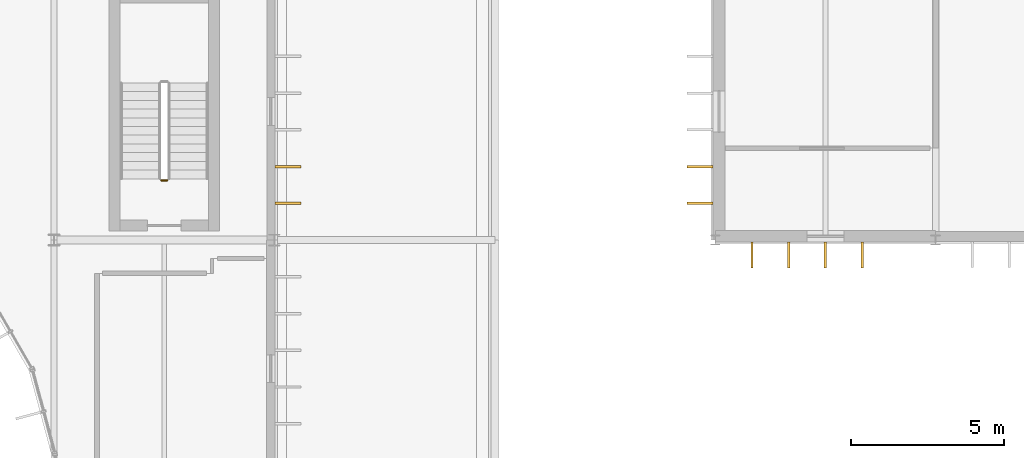
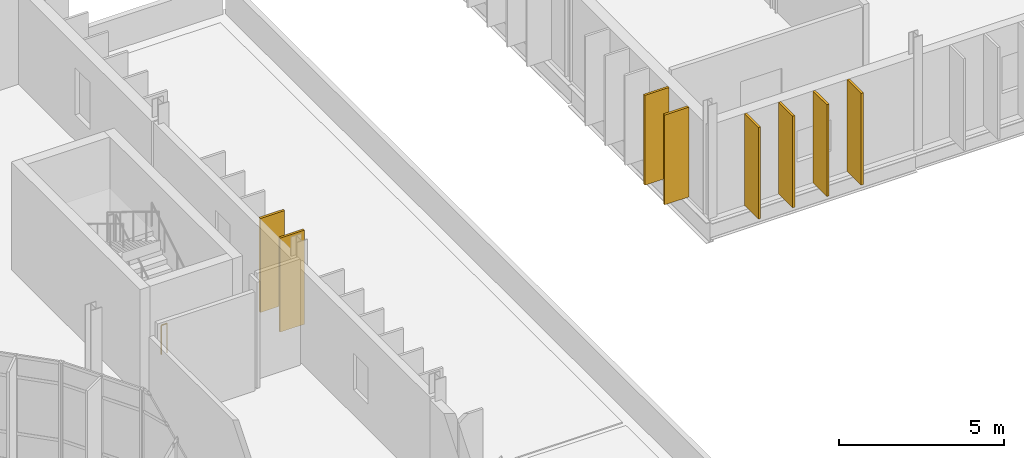
# One storey, part 92 of 99: 8 shading devices, 1 railing.
"""IFC4 building model written with IfcOpenShell, lengths in metres."""

from ifc_helpers import new_model, si_unit, direction, frame, origin, origin_2d, place, context, subcontext, project, spatial, rectangle, circle, extrude, material, type_object, element, save


model = new_model("IFC4")

# Units and contexts
model_context = context("Model", 3, precision=1e-05, world=origin(), true_north=direction((0.0, 1.0)))
body_context = subcontext(model_context, "Body", "Model", "MODEL_VIEW")
ifc_project = project(units=[si_unit("LENGTHUNIT", "METRE"), si_unit("AREAUNIT", "SQUARE_METRE"), si_unit("VOLUMEUNIT", "CUBIC_METRE"), si_unit("PLANEANGLEUNIT", "RADIAN"), si_unit("MASSUNIT", "GRAM", prefix="KILO")], contexts=[model_context])

# Site, building, storey
site_placement = place(None, origin())
site = spatial("IfcSite", under=ifc_project, at=site_placement, CompositionType="ELEMENT")
building_placement = place(site_placement, origin())
building = spatial("IfcBuilding", under=site, at=building_placement, Name="Qelthora Terrace Specialist Clinic", CompositionType="ELEMENT")
storey_placement = place(building_placement, frame((0.0, 0.0, 9.0)))
storey = spatial("IfcBuildingStorey", under=building, at=storey_placement, Name="L02", CompositionType="ELEMENT", Elevation=9.0)

# Railing
ifc_material_1 = material(Name="Steel S355", Category="steel")
railing_type = type_object("IfcRailingType", Name="RAL-GD-1100-S355", PredefinedType="GUARDRAIL", material=ifc_material_1)
railing_placement = place(storey_placement, frame((39.699951171875, 94.35009765625, 0.0)))
element("IfcRailing", 1, at=railing_placement, inside=storey, type_object=railing_type, Name="L02 ST-02 stair guard 4", PredefinedType="GUARDRAIL", context=body_context, shape_type="SweptSolid", body=[
    extrude(circle(Radius=0.02392578125, at=origin_2d()), frame((0.0, 0.0, 1.076171875), z_axis=(-1.0, 0.0, 0.0), x_axis=(0.0, -1.0, 0.0)), (0.0, 0.0, 1.0), 0.199951171875),
    extrude(circle(Radius=0.02099609375, at=origin_2d()), origin(), (0.0, 0.0, 1.0), 1.052001953125),
    extrude(circle(Radius=0.02099609375, at=origin_2d()), frame((-0.199951171875, 0.0, 0.0)), (0.0, 0.0, 1.0), 1.052001953125),
])

# Shading devices
ifc_material_2 = material(Name="Glulam timber GL28h", Category="wood")
shading_device_type = type_object("IfcShadingDeviceType", Name="SHD-FIN-850", PredefinedType="USERDEFINED", material=ifc_material_2)
for number, where, z_axis, x_axis, name in (
    (2, (43.635009765625, 93.60009765625, 0.0), (0.0, 0.0, 1.0), (1.0, 0.0, 0.0), "Exterior solar shading fin FIN-1159"),
    (3, (43.635009765625, 94.800048828125, 0.0), (0.0, 0.0, 1.0), (1.0, 0.0, 0.0), "Exterior solar shading fin FIN-1160"),
):
    element("IfcShadingDevice", number, at=place(storey_placement, frame(where, z_axis=z_axis, x_axis=x_axis)), inside=storey, type_object=shading_device_type, Name=name, ObjectType="FIN", PredefinedType="USERDEFINED", context=body_context, shape_type="SweptSolid", body=[
        extrude(rectangle(XDim=0.85009765625, YDim=0.080078125, at=origin_2d()), origin(), (0.0, 0.0, 1.0), 3.48193359375),
    ])
for number, where, z_axis, x_axis, name in (
    (4, (58.800048828125, 91.905029296875, 0.0), (0.0, 0.0, 1.0), (0.0, -1.0, 0.0), "Exterior solar shading fin FIN-1191"),
    (5, (60.0, 91.905029296875, 0.0), (0.0, 0.0, 1.0), (0.0, -1.0, 0.0), "Exterior solar shading fin FIN-1192"),
    (6, (61.199951171875, 91.905029296875, 0.0), (0.0, 0.0, 1.0), (0.0, -1.0, 0.0), "Exterior solar shading fin FIN-1193"),
    (7, (62.39990234375, 91.905029296875, 0.0), (0.0, 0.0, 1.0), (0.0, -1.0, 0.0), "Exterior solar shading fin FIN-1194"),
):
    element("IfcShadingDevice", number, at=place(storey_placement, frame(where, z_axis=z_axis, x_axis=x_axis)), inside=storey, type_object=shading_device_type, Name=name, ObjectType="FIN", PredefinedType="USERDEFINED", context=body_context, shape_type="SweptSolid", body=[
        extrude(rectangle(XDim=0.85009765625, YDim=0.080078125, at=origin_2d()), origin(), (0.0, 0.0, 1.0), 3.39794921875),
    ])
for number, where, z_axis, x_axis, name in (
    (8, (57.10498046875, 93.60009765625, 0.0), (0.0, 0.0, 1.0), (-1.0, 0.0, 0.0), "Exterior solar shading fin FIN-1214"),
    (9, (57.10498046875, 94.800048828125, 0.0), (0.0, 0.0, 1.0), (-1.0, 0.0, 0.0), "Exterior solar shading fin FIN-1215"),
):
    element("IfcShadingDevice", number, at=place(storey_placement, frame(where, z_axis=z_axis, x_axis=x_axis)), inside=storey, type_object=shading_device_type, Name=name, ObjectType="FIN", PredefinedType="USERDEFINED", context=body_context, shape_type="SweptSolid", body=[
        extrude(rectangle(XDim=0.85009765625, YDim=0.080078125, at=origin_2d()), origin(), (0.0, 0.0, 1.0), 3.324951171875),
    ])

save(model, "model.ifc")
